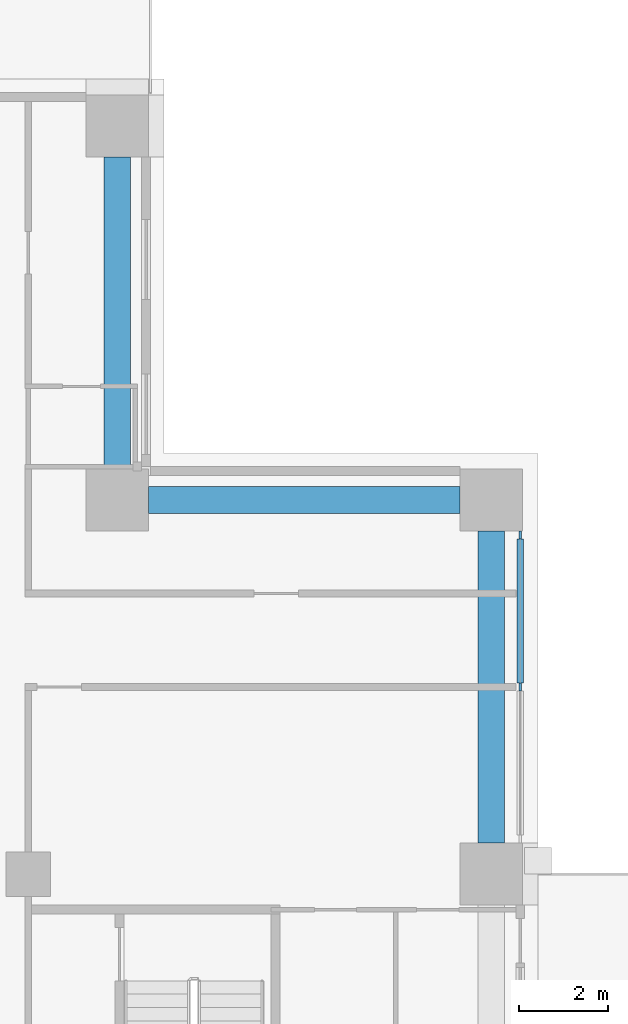
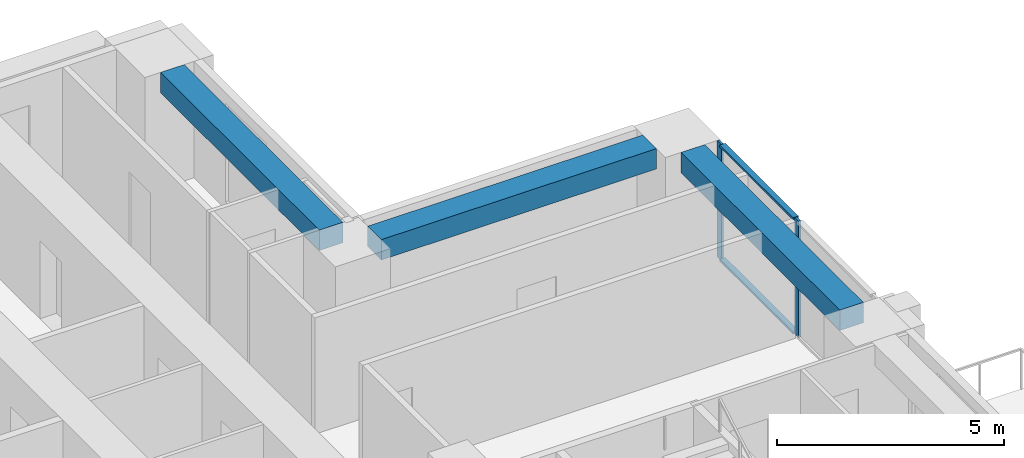
# One storey, part 6 of 17: 4 members, 3 beams, 1 element without a shape of its own.
"""IFC4 building model written with IfcOpenShell, lengths in metres."""

from ifc_helpers import new_model, si_unit, direction, frame, origin, origin_2d, place, context, subcontext, project, spatial, rectangle, extrude, material, material_profile, profile_set, type_object, element, aggregate, save


model = new_model("IFC4")

# Units and contexts
model_context = context("Model", 3, precision=1e-05, world=origin(), true_north=direction((0.0, 1.0)))
body_context = subcontext(model_context, "Body", "Model", "MODEL_VIEW")
ifc_project = project(units=[si_unit("LENGTHUNIT", "METRE"), si_unit("AREAUNIT", "SQUARE_METRE"), si_unit("VOLUMEUNIT", "CUBIC_METRE"), si_unit("PLANEANGLEUNIT", "RADIAN"), si_unit("MASSUNIT", "GRAM", prefix="KILO")], contexts=[model_context])

# Site, building, storey
site_placement = place(None, origin())
site = spatial("IfcSite", under=ifc_project, at=site_placement, CompositionType="ELEMENT")
building_placement = place(site_placement, origin())
building = spatial("IfcBuilding", under=site, at=building_placement, Name="Vermilion Ogive Tower", CompositionType="ELEMENT")
storey_placement = place(building_placement, frame((0.0, 0.0, 51.75)))
storey = spatial("IfcBuildingStorey", under=building, at=storey_placement, Name="L11", CompositionType="ELEMENT", Elevation=51.75)

# Curtain wall, members
ifc_material_1 = material(Name="Low-iron laminated glazing in aluminium frame", Category="aluminium")
curtain_wall_type = type_object("IfcCurtainWallType", Name="Curtain wall CW7", PredefinedType="NOTDEFINED", material=ifc_material_1)
curtain_wall_placement = place(storey_placement, origin())
curtain_wall = element("IfcCurtainWall", 1, at=curtain_wall_placement, inside=storey, type_object=curtain_wall_type, Name="Glazed skin E3", PredefinedType="NOTDEFINED")
ifc_material_2 = material(Name="Aluminium mullion", Category="aluminium")
ifc_material_profile_1 = material_profile(ifc_material_2, rectangle(XDim=0.06005859375, YDim=0.179931640625, at=origin_2d()), Name="AL 60x180")
ifc_profile_set_1 = profile_set([ifc_material_profile_1], Name="Aluminium mullion")
member_type_1 = type_object("IfcMemberType", Name="CW7 mullion 60x180", PredefinedType="MULLION", material=ifc_profile_set_1)
member_1_placement = place(storey_placement, frame((25.85009765625, 8.39990234375, 0.0), z_axis=(0.0, 0.0, 1.0), x_axis=(-1.0, 0.0, 0.0)))
member_1 = element("IfcMember", 2, at=member_1_placement, type_object=member_type_1, Name="CW7-E3 mullion 2", PredefinedType="MULLION", context=body_context, shape_type="SweptSolid", body=[
    extrude(rectangle(XDim=0.06005859375, YDim=0.179931640625, at=origin_2d()), origin(), (0.0, 0.0, 1.0), 3.1298828125),
])
member_2_placement = place(storey_placement, frame((25.85009765625, 11.81005859375, 0.0), z_axis=(0.0, 0.0, 1.0), x_axis=(-1.0, 0.0, 0.0)))
member_2 = element("IfcMember", 3, at=member_2_placement, type_object=member_type_1, Name="CW7-E3 mullion 3", PredefinedType="MULLION", context=body_context, shape_type="SweptSolid", body=[
    extrude(rectangle(XDim=0.06005859375, YDim=0.179931640625, at=origin_2d()), origin(), (0.0, 0.0, 1.0), 3.1298828125),
])
ifc_material_3 = material(Name="Aluminium transom", Category="aluminium")
ifc_material_profile_2 = material_profile(ifc_material_3, rectangle(XDim=0.139892578125, YDim=0.06005859375, at=origin_2d()), Name="AL 60x140")
ifc_profile_set_2 = profile_set([ifc_material_profile_2], Name="Aluminium transom")
member_type_2 = type_object("IfcMemberType", Name="CW7 transom 60x140", PredefinedType="USERDEFINED", material=ifc_profile_set_2)
member_3_placement = place(storey_placement, frame((25.85009765625, 8.489990234375, 0.030029296875), z_axis=(0.0, 1.0, 0.0), x_axis=(-1.0, 0.0, 0.0)))
member_3 = element("IfcMember", 4, at=member_3_placement, type_object=member_type_2, Name="CW7-E3 transom 2.1", ObjectType="TRANSOM", PredefinedType="USERDEFINED", context=body_context, shape_type="SweptSolid", body=[
    extrude(rectangle(XDim=0.139892578125, YDim=0.06005859375, at=origin_2d()), origin(), (0.0, 0.0, 1.0), 3.22998046875),
])
member_4_placement = place(storey_placement, frame((25.85009765625, 8.489990234375, 3.10009765625), z_axis=(0.0, 1.0, 0.0), x_axis=(-1.0, 0.0, 0.0)))
member_4 = element("IfcMember", 5, at=member_4_placement, type_object=member_type_2, Name="CW7-E3 transom 2.2", ObjectType="TRANSOM", PredefinedType="USERDEFINED", context=body_context, shape_type="SweptSolid", body=[
    extrude(rectangle(XDim=0.139892578125, YDim=0.06005859375, at=origin_2d()), origin(), (0.0, 0.0, 1.0), 3.22998046875),
])
aggregate(curtain_wall, [member_1, member_2, member_3, member_4])

# Beams
ifc_material_4 = material(Name="Concrete B45", Category="concrete")
ifc_material_profile_3 = material_profile(ifc_material_4, rectangle(XDim=0.60009765625, YDim=0.550048828125, at=origin_2d()), Name="600 x 550")
ifc_profile_set_3 = profile_set([ifc_material_profile_3], Name="Concrete B45")
beam_type = type_object("IfcBeamType", Name="Edge beam 600 x 550 B45", PredefinedType="BEAM", material=ifc_profile_set_3)
for number, where, z_axis, x_axis, name in (
    (6, (25.199951171875, 4.89990234375, 2.85498046875), (0.0, 1.0, 0.0), (-1.0, 0.0, 0.0), "L11-EB-9"),
    (7, (24.5, 12.60009765625, 2.85498046875), (-1.0, 0.0, 0.0), (0.0, -1.0, 0.0), "L11-EB-10"),
    (8, (16.800048828125, 13.300048828125, 2.85498046875), (0.0, 1.0, 0.0), (-1.0, 0.0, 0.0), "L11-EB-11"),
):
    element("IfcBeam", number, at=place(storey_placement, frame(where, z_axis=z_axis, x_axis=x_axis)), inside=storey, type_object=beam_type, Name=name, PredefinedType="BEAM", context=body_context, shape_type="SweptSolid", body=[
        extrude(rectangle(XDim=0.60009765625, YDim=0.550048828125, at=origin_2d()), origin(), (0.0, 0.0, 1.0), 7.0),
    ])

save(model, "model.ifc")
